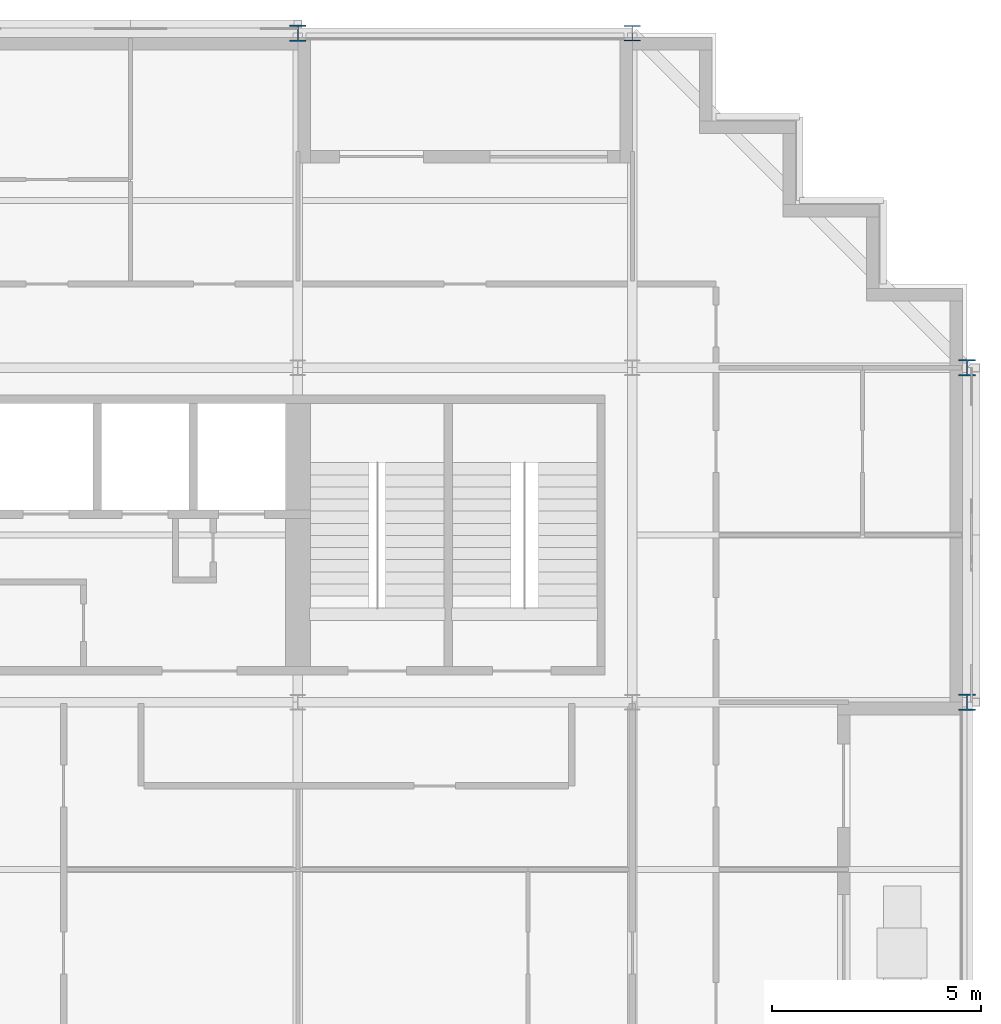
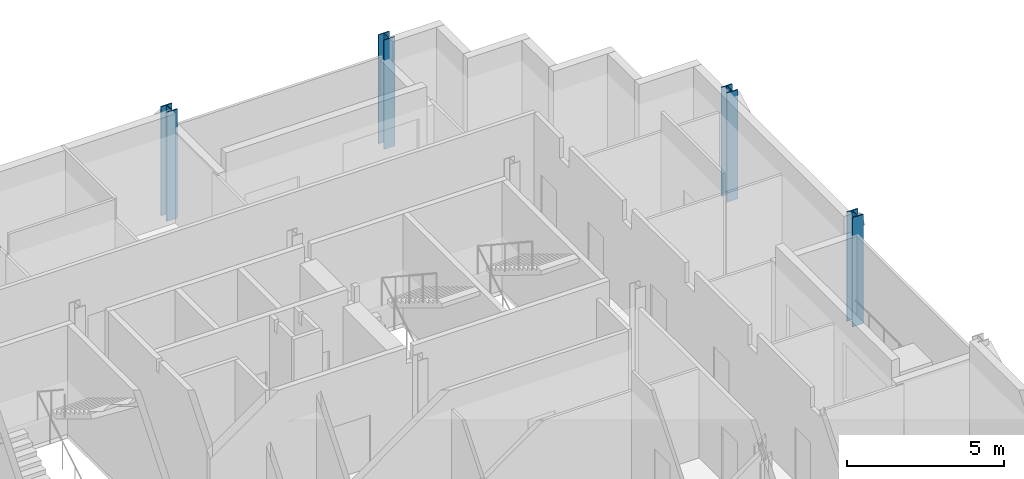
# One storey, part 3 of 15: 4 columns.
"""IFC4 building model written with IfcOpenShell, lengths in metres."""

from ifc_helpers import new_model, si_unit, direction, frame, origin, origin_2d, place, context, subcontext, project, spatial, i_section, extrude, material, material_profile, profile_set, type_object, element, save


model = new_model("IFC4")

# Units and contexts
model_context = context("Model", 3, precision=1e-05, world=origin(), true_north=direction((0.0, 1.0)))
body_context = subcontext(model_context, "Body", "Model", "MODEL_VIEW")
ifc_project = project(units=[si_unit("LENGTHUNIT", "METRE"), si_unit("AREAUNIT", "SQUARE_METRE"), si_unit("VOLUMEUNIT", "CUBIC_METRE"), si_unit("PLANEANGLEUNIT", "RADIAN"), si_unit("MASSUNIT", "GRAM", prefix="KILO")], contexts=[model_context])

# Site, building, storey
site_placement = place(None, origin())
site = spatial("IfcSite", under=ifc_project, at=site_placement, CompositionType="ELEMENT")
building_placement = place(site_placement, origin())
building = spatial("IfcBuilding", under=site, at=building_placement, Name="Immortelle Media Tower", CompositionType="ELEMENT")
storey_placement = place(building_placement, frame((0.0, 0.0, 70.0)))
storey = spatial("IfcBuildingStorey", under=building, at=storey_placement, Name="L12", CompositionType="ELEMENT", Elevation=70.0)

# Columns
ifc_material = material(Name="Steel ASTM A992 Gr 50", Category="steel")
ifc_material_profile_1 = material_profile(ifc_material, i_section(OverallWidth=0.39404296875, OverallDepth=0.3759765625, WebThickness=0.01708984375, FlangeThickness=0.028076171875, at=origin_2d()), Name="W14x145")
ifc_profile_set_1 = profile_set([ifc_material_profile_1], Name="Steel ASTM A992 Gr 50")
column_type_1 = type_object("IfcColumnType", Name="W14x145 column", PredefinedType="COLUMN", material=ifc_profile_set_1)
column_placement = place(storey_placement, frame((40.0, 48.0, 0.0), z_axis=(0.0, 0.0, 1.0), x_axis=(1.0, 0.0, 0.0)))
element("IfcColumn", 1, at=column_placement, inside=storey, type_object=column_type_1, Name="Column 6/G", PredefinedType="COLUMN", context=body_context, shape_type="SweptSolid", body=[
    extrude(i_section(OverallWidth=0.39404296875, OverallDepth=0.3759765625, WebThickness=0.01708984375, FlangeThickness=0.028076171875, at=origin_2d()), origin(), (0.0, 0.0, 1.0), 4.25),
])
ifc_material_profile_2 = material_profile(ifc_material, i_section(OverallWidth=0.40087890625, OverallDepth=0.39892578125, WebThickness=0.02490234375, FlangeThickness=0.0400390625, at=origin_2d()), Name="W14x211")
ifc_profile_set_2 = profile_set([ifc_material_profile_2], Name="Steel ASTM A992 Gr 50")
column_type_2 = type_object("IfcColumnType", Name="W14x211 column", PredefinedType="COLUMN", material=ifc_profile_set_2)
for number, where, z_axis, x_axis, name in (
    (2, (32.0, 48.0, 0.0), (0.0, 0.0, 1.0), (1.0, 0.0, 0.0), "Column 5/G"),
    (3, (48.0, 32.0, 0.0), (0.0, 0.0, 1.0), (1.0, 0.0, 0.0), "Column 7/E"),
    (4, (48.0, 40.0, 0.0), (0.0, 0.0, 1.0), (1.0, 0.0, 0.0), "Column 7/F"),
):
    element("IfcColumn", number, at=place(storey_placement, frame(where, z_axis=z_axis, x_axis=x_axis)), inside=storey, type_object=column_type_2, Name=name, PredefinedType="COLUMN", context=body_context, shape_type="SweptSolid", body=[
        extrude(i_section(OverallWidth=0.40087890625, OverallDepth=0.39892578125, WebThickness=0.02490234375, FlangeThickness=0.0400390625, at=origin_2d()), origin(), (0.0, 0.0, 1.0), 4.25),
    ])

save(model, "model.ifc")
